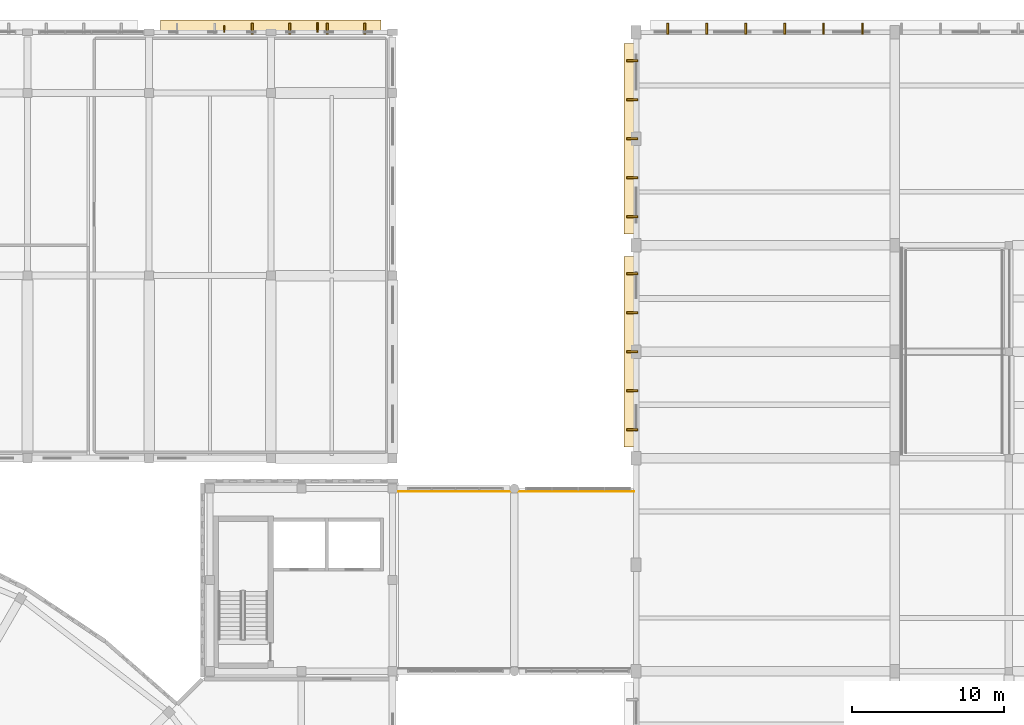
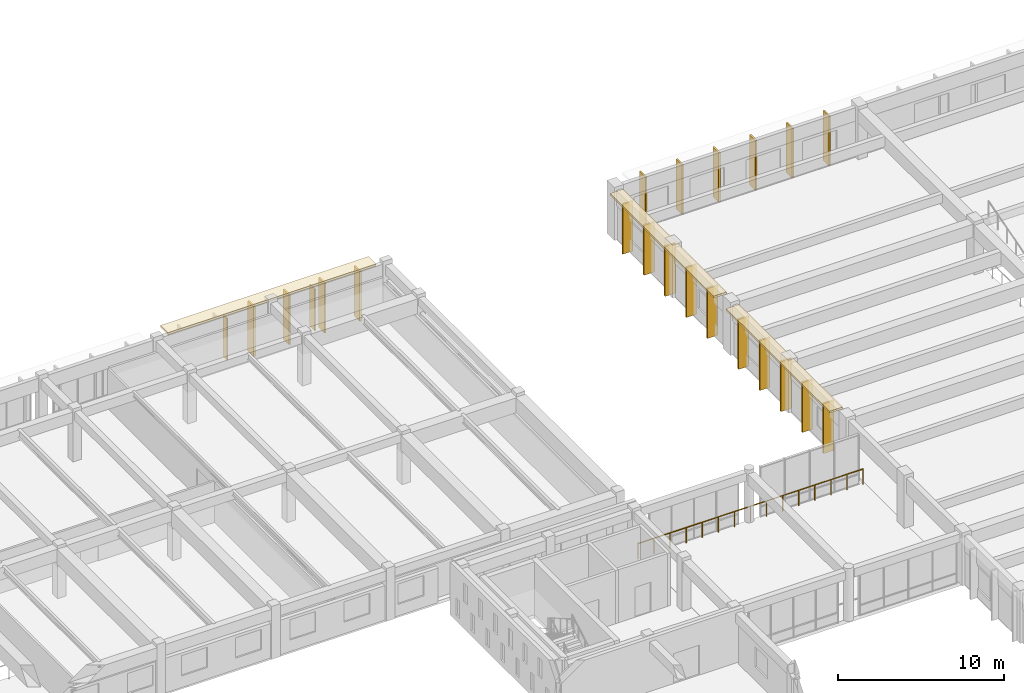
# One storey, part 93 of 98: 23 coverings, 2 shading devices, 1 railing.
"""IFC4 building model written with IfcOpenShell, lengths in metres."""

from ifc_helpers import new_model, si_unit, direction, frame, origin, origin_2d, place, context, subcontext, project, spatial, rectangle, circle, extrude, material, layer, layer_set, type_object, element, save


model = new_model("IFC4")

# Units and contexts
model_context = context("Model", 3, precision=1e-05, world=origin(), true_north=direction((0.0, 1.0)))
body_context = subcontext(model_context, "Body", "Model", "MODEL_VIEW")
ifc_project = project(units=[si_unit("LENGTHUNIT", "METRE"), si_unit("AREAUNIT", "SQUARE_METRE"), si_unit("VOLUMEUNIT", "CUBIC_METRE"), si_unit("PLANEANGLEUNIT", "RADIAN"), si_unit("MASSUNIT", "GRAM", prefix="KILO")], contexts=[model_context])

# Site, building, storey
site_placement = place(None, origin())
site = spatial("IfcSite", under=ifc_project, at=site_placement, CompositionType="ELEMENT")
building_placement = place(site_placement, origin())
building = spatial("IfcBuilding", under=site, at=building_placement, Name="Larkveld Mobility Hub", CompositionType="ELEMENT")
storey_placement = place(building_placement, frame((0.0, 0.0, 4.5)))
storey = spatial("IfcBuildingStorey", under=building, at=storey_placement, Name="L01", CompositionType="ELEMENT", Elevation=4.5)

# Coverings
ifc_material_1 = material(Name="Precast concrete C50/60", Category="concrete")
ifc_layer_1 = layer(ifc_material_1, 0.14990234375, Name="Precast concrete C50/60", Category="concrete")
ifc_layer_set_1 = layer_set([ifc_layer_1], Name="Precast concrete C50/60")
covering_type_1 = type_object("IfcCoveringType", Name="COV-QSL-H01", PredefinedType="CLADDING", material=ifc_layer_set_1)
covering_placement = place(storey_placement, frame((88.0, 126.340087890625, 3.670166015625), z_axis=(0.0, 0.0, 1.0), x_axis=(-1.0, 0.0, 0.0)))
element("IfcCovering", 1, at=covering_placement, inside=storey, type_object=covering_type_1, Name="Precast Quebra-Sol Horizontal Sunbreaker QSH-092", PredefinedType="CLADDING", context=body_context, shape_type="SweptSolid", body=[
    extrude(rectangle(XDim=14.5, YDim=0.919921875, at=origin_2d()), origin(), (0.0, 0.0, 1.0), 0.14990234375),
])
for number, where, z_axis, x_axis, name in (
    (2, (111.659912109375, 105.0, 3.670166015625), (0.0, 0.0, 1.0), (0.0, -1.0, 0.0), "Precast Quebra-Sol Horizontal Sunbreaker QSH-421"),
    (3, (111.659912109375, 119.0, 3.670166015625), (0.0, 0.0, 1.0), (0.0, -1.0, 0.0), "Precast Quebra-Sol Horizontal Sunbreaker QSH-427"),
):
    element("IfcCovering", number, at=place(storey_placement, frame(where, z_axis=z_axis, x_axis=x_axis)), inside=storey, type_object=covering_type_1, Name=name, PredefinedType="CLADDING", context=body_context, shape_type="SweptSolid", body=[
        extrude(rectangle(XDim=12.5, YDim=0.919921875, at=origin_2d()), origin(), (0.0, 0.0, 1.0), 0.14990234375),
    ])
ifc_layer_2 = layer(ifc_material_1, 0.1201171875, Name="Precast concrete C50/60", Category="concrete")
ifc_layer_set_2 = layer_set([ifc_layer_2], Name="Precast concrete C50/60")
covering_type_2 = type_object("IfcCoveringType", Name="COV-QSL-V01", PredefinedType="CLADDING", material=ifc_layer_set_2)
for number, where, z_axis, x_axis, name in (
    (4, (94.1669921875, 126.239990234375, -0.0205078125), (0.0, 0.0, 1.0), (-1.0, 0.0, 0.0), "Precast Quebra-Sol Vertical Fin QSV-093"),
    (5, (91.699951171875, 126.239990234375, -0.0205078125), (0.0, 0.0, 1.0), (-1.0, 0.0, 0.0), "Precast Quebra-Sol Vertical Fin QSV-094"),
    (6, (89.23291015625, 126.239990234375, -0.0205078125), (0.0, 0.0, 1.0), (-1.0, 0.0, 0.0), "Precast Quebra-Sol Vertical Fin QSV-095"),
    (7, (86.76708984375, 126.239990234375, -0.0205078125), (0.0, 0.0, 1.0), (-1.0, 0.0, 0.0), "Precast Quebra-Sol Vertical Fin QSV-096"),
    (8, (111.760009765625, 110.1201171875, -0.0205078125), (0.0, 0.0, 1.0), (0.0, -1.0, 0.0), "Precast Quebra-Sol Vertical Fin QSV-422"),
    (9, (111.760009765625, 107.56005859375, -0.0205078125), (0.0, 0.0, 1.0), (0.0, -1.0, 0.0), "Precast Quebra-Sol Vertical Fin QSV-423"),
    (10, (111.760009765625, 105.0, -0.0205078125), (0.0, 0.0, 1.0), (0.0, -1.0, 0.0), "Precast Quebra-Sol Vertical Fin QSV-424"),
    (11, (111.760009765625, 102.43994140625, -0.0205078125), (0.0, 0.0, 1.0), (0.0, -1.0, 0.0), "Precast Quebra-Sol Vertical Fin QSV-425"),
    (12, (111.760009765625, 99.8798828125, -0.0205078125), (0.0, 0.0, 1.0), (0.0, -1.0, 0.0), "Precast Quebra-Sol Vertical Fin QSV-426"),
    (13, (111.760009765625, 124.1201171875, -0.0205078125), (0.0, 0.0, 1.0), (0.0, -1.0, 0.0), "Precast Quebra-Sol Vertical Fin QSV-428"),
    (14, (111.760009765625, 121.56005859375, -0.0205078125), (0.0, 0.0, 1.0), (0.0, -1.0, 0.0), "Precast Quebra-Sol Vertical Fin QSV-429"),
    (15, (111.760009765625, 119.0, -0.0205078125), (0.0, 0.0, 1.0), (0.0, -1.0, 0.0), "Precast Quebra-Sol Vertical Fin QSV-430"),
    (16, (111.760009765625, 116.43994140625, -0.0205078125), (0.0, 0.0, 1.0), (0.0, -1.0, 0.0), "Precast Quebra-Sol Vertical Fin QSV-431"),
    (17, (111.760009765625, 113.8798828125, -0.0205078125), (0.0, 0.0, 1.0), (0.0, -1.0, 0.0), "Precast Quebra-Sol Vertical Fin QSV-432"),
    (18, (126.8798828125, 126.239990234375, -0.0205078125), (0.0, 0.0, 1.0), (-1.0, 0.0, 0.0), "Precast Quebra-Sol Vertical Fin QSV-443"),
    (19, (124.320068359375, 126.239990234375, -0.0205078125), (0.0, 0.0, 1.0), (-1.0, 0.0, 0.0), "Precast Quebra-Sol Vertical Fin QSV-444"),
    (20, (121.760009765625, 126.239990234375, -0.0205078125), (0.0, 0.0, 1.0), (-1.0, 0.0, 0.0), "Precast Quebra-Sol Vertical Fin QSV-445"),
    (21, (119.199951171875, 126.239990234375, -0.0205078125), (0.0, 0.0, 1.0), (-1.0, 0.0, 0.0), "Precast Quebra-Sol Vertical Fin QSV-446"),
    (22, (116.639892578125, 126.239990234375, -0.0205078125), (0.0, 0.0, 1.0), (-1.0, 0.0, 0.0), "Precast Quebra-Sol Vertical Fin QSV-447"),
    (23, (114.080078125, 126.239990234375, -0.0205078125), (0.0, 0.0, 1.0), (-1.0, 0.0, 0.0), "Precast Quebra-Sol Vertical Fin QSV-448"),
):
    element("IfcCovering", number, at=place(storey_placement, frame(where, z_axis=z_axis, x_axis=x_axis)), inside=storey, type_object=covering_type_2, Name=name, PredefinedType="CLADDING", context=body_context, shape_type="SweptSolid", body=[
        extrude(rectangle(XDim=0.1201171875, YDim=0.719970703125, at=origin_2d()), origin(), (0.0, 0.0, 1.0), 3.675048828125),
    ])

# Railing
ifc_material_2 = material(Name="Galvanized Steel S355JR vehicle-deck guard", Category="steel")
railing_type = type_object("IfcRailingType", Name="RL-GRD-RMP", PredefinedType="GUARDRAIL", material=ifc_material_2)
railing_placement = place(storey_placement, frame((96.14990234375, 95.820068359375, 0.0)))
element("IfcRailing", 24, at=railing_placement, inside=storey, type_object=railing_type, Name="Footbridge L01 North Safety Rail L01-024", PredefinedType="GUARDRAIL", context=body_context, shape_type="SweptSolid", body=[
    extrude(circle(Radius=0.02392578125, at=origin_2d()), frame((0.0, 0.0, 1.1259765625), z_axis=(1.0, 0.0, 0.0), x_axis=(0.0, 1.0, 0.0)), (0.0, 0.0, 1.0), 15.7001953125),
    extrude(circle(Radius=0.02099609375, at=origin_2d()), origin(), (0.0, 0.0, 1.0), 1.101806640625),
    extrude(circle(Radius=0.02099609375, at=origin_2d()), frame((1.121337890625, 0.0, 0.0)), (0.0, 0.0, 1.0), 1.101806640625),
    extrude(circle(Radius=0.02099609375, at=origin_2d()), frame((2.242919921875, 0.0, 0.0)), (0.0, 0.0, 1.0), 1.101806640625),
    extrude(circle(Radius=0.02099609375, at=origin_2d()), frame((3.3642578125, 0.0, 0.0)), (0.0, 0.0, 1.0), 1.101806640625),
    extrude(circle(Radius=0.02099609375, at=origin_2d()), frame((4.48583984375, 0.0, 0.0)), (0.0, 0.0, 1.0), 1.101806640625),
    extrude(circle(Radius=0.02099609375, at=origin_2d()), frame((5.607177734375, 0.0, 0.0)), (0.0, 0.0, 1.0), 1.101806640625),
    extrude(circle(Radius=0.02099609375, at=origin_2d()), frame((6.728759765625, 0.0, 0.0)), (0.0, 0.0, 1.0), 1.101806640625),
    extrude(circle(Radius=0.02099609375, at=origin_2d()), frame((7.85009765625, 0.0, 0.0)), (0.0, 0.0, 1.0), 1.101806640625),
    extrude(circle(Radius=0.02099609375, at=origin_2d()), frame((8.971435546875, 0.0, 0.0)), (0.0, 0.0, 1.0), 1.101806640625),
    extrude(circle(Radius=0.02099609375, at=origin_2d()), frame((10.093017578125, 0.0, 0.0)), (0.0, 0.0, 1.0), 1.101806640625),
    extrude(circle(Radius=0.02099609375, at=origin_2d()), frame((11.21435546875, 0.0, 0.0)), (0.0, 0.0, 1.0), 1.101806640625),
    extrude(circle(Radius=0.02099609375, at=origin_2d()), frame((12.3359375, 0.0, 0.0)), (0.0, 0.0, 1.0), 1.101806640625),
    extrude(circle(Radius=0.02099609375, at=origin_2d()), frame((13.457275390625, 0.0, 0.0)), (0.0, 0.0, 1.0), 1.101806640625),
    extrude(circle(Radius=0.02099609375, at=origin_2d()), frame((14.578857421875, 0.0, 0.0)), (0.0, 0.0, 1.0), 1.101806640625),
    extrude(circle(Radius=0.02099609375, at=origin_2d()), frame((15.7001953125, 0.0, 0.0)), (0.0, 0.0, 1.0), 1.101806640625),
])

# Shading devices
ifc_layer_3 = layer(ifc_material_1, 0.06494140625, Name="Precast concrete C50/60", Category="concrete")
ifc_layer_set_3 = layer_set([ifc_layer_3], Name="Precast concrete C50/60")
shading_device_type_1 = type_object("IfcShadingDeviceType", Name="SHD-JAL-01", PredefinedType="JALOUSIE", material=ifc_layer_set_3)
shading_device_1_placement = place(storey_placement, frame((84.93408203125, 126.205078125, 0.300048828125), z_axis=(0.0, 0.0, 1.0), x_axis=(1.0, 0.0, 0.0)))
element("IfcShadingDevice", 25, at=shading_device_1_placement, inside=storey, type_object=shading_device_type_1, Name="North Facade Sunshade Fin NF-054", PredefinedType="JALOUSIE", context=body_context, shape_type="SweptSolid", body=[
    extrude(rectangle(XDim=0.06494140625, YDim=0.449951171875, at=origin_2d()), origin(), (0.0, 0.0, 1.0), 3.06005859375),
])
ifc_layer_4 = layer(ifc_material_1, 0.0849609375, Name="Precast concrete C50/60", Category="concrete")
ifc_layer_set_4 = layer_set([ifc_layer_4], Name="Precast concrete C50/60")
shading_device_type_2 = type_object("IfcShadingDeviceType", Name="SHD-JAL-03", PredefinedType="JALOUSIE", material=ifc_layer_set_4)
shading_device_2_placement = place(storey_placement, frame((91.06591796875, 126.304931640625, 0.300048828125), z_axis=(0.0, 0.0, 1.0), x_axis=(1.0, 0.0, 0.0)))
element("IfcShadingDevice", 26, at=shading_device_2_placement, inside=storey, type_object=shading_device_type_2, Name="North Facade Sunshade Fin NF-053", PredefinedType="JALOUSIE", context=body_context, shape_type="SweptSolid", body=[
    extrude(rectangle(XDim=0.0849609375, YDim=0.64990234375, at=origin_2d()), origin(), (0.0, 0.0, 1.0), 3.06005859375),
])

save(model, "model.ifc")
